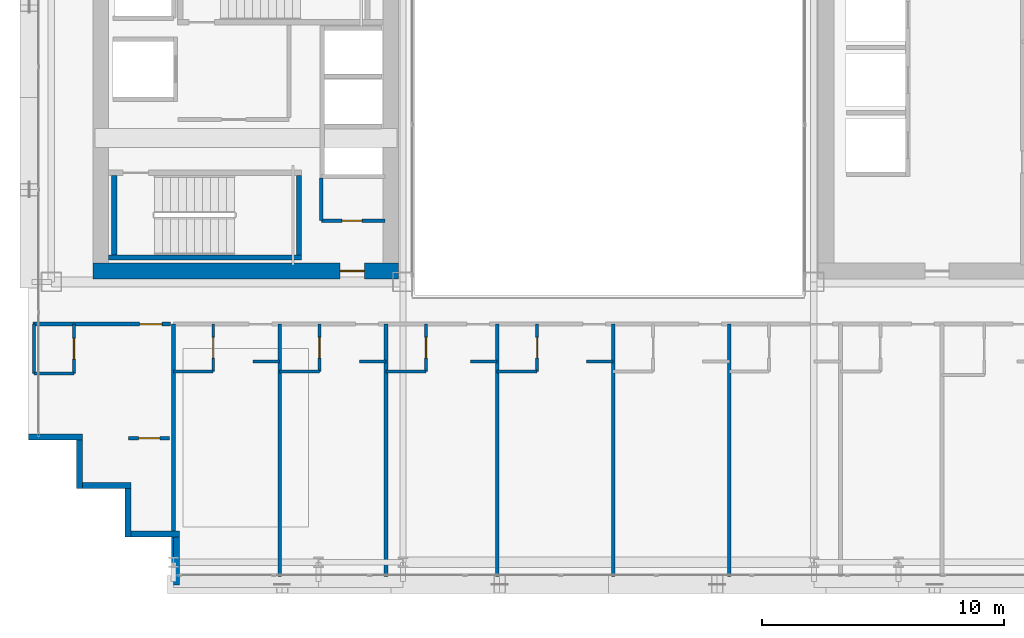
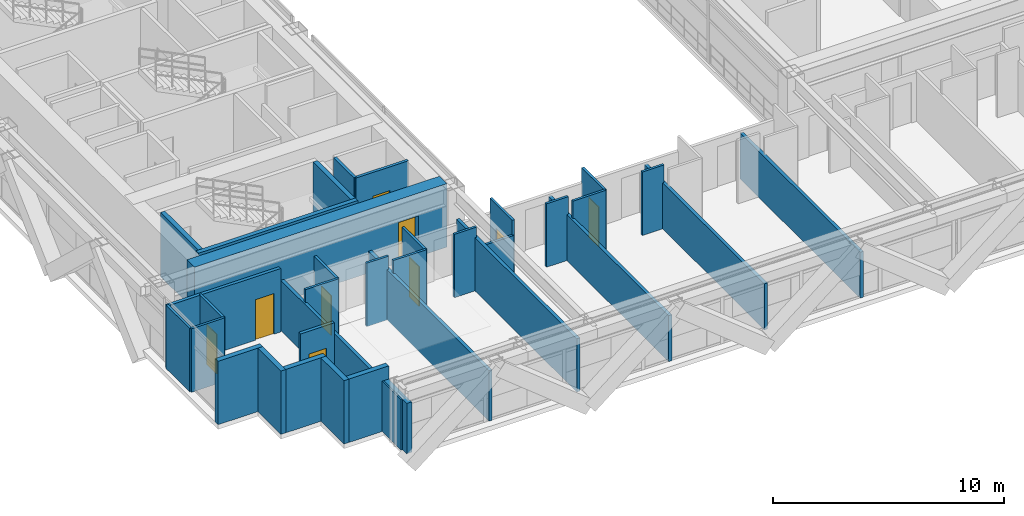
# One storey, part 31 of 39: 35 walls, 9 doors, 9 openings.
"""IFC4 building model written with IfcOpenShell, lengths in metres."""

from ifc_helpers import new_model, si_unit, direction, frame, frame_2d, origin, place, context, subcontext, project, spatial, rectangle, extrude, source, transform, mapped, material, layer, layer_set, type_object, element, fill, save


model = new_model("IFC4")

# Units and contexts
model_context = context("Model", 3, precision=1e-05, world=origin(), true_north=direction((0.0, 1.0)))
body_context = subcontext(model_context, "Body", "Model", "MODEL_VIEW")
ifc_project = project(units=[si_unit("LENGTHUNIT", "METRE"), si_unit("AREAUNIT", "SQUARE_METRE"), si_unit("VOLUMEUNIT", "CUBIC_METRE"), si_unit("PLANEANGLEUNIT", "RADIAN"), si_unit("MASSUNIT", "GRAM", prefix="KILO")], contexts=[model_context])

# Site, building, storey
site_placement = place(None, origin())
site = spatial("IfcSite", under=ifc_project, at=site_placement, CompositionType="ELEMENT")
building_placement = place(site_placement, origin())
building = spatial("IfcBuilding", under=site, at=building_placement, Name="Ocotamira Hotel", CompositionType="ELEMENT")
storey_placement = place(building_placement, frame((0.0, 0.0, 104.39990234375)))
storey = spatial("IfcBuildingStorey", under=building, at=storey_placement, Name="L25", CompositionType="ELEMENT", Elevation=104.39990234375)

# Wall, opening, door
ifc_material_1 = material(Name="Concrete C60/75", Category="concrete")
ifc_layer_1 = layer(ifc_material_1, 0.64990234375)
ifc_layer_set_1 = layer_set([ifc_layer_1], Name="Concrete C60/75")
wall_type_1 = type_object("IfcWallType", Name="WL-CORE-650", PredefinedType="SHEAR", material=ifc_layer_set_1)
wall_1_placement = place(storey_placement, frame((10.675048828125, 15.0, 0.0), z_axis=(0.0, 0.0, 1.0), x_axis=(1.0, 0.0, 0.0)))
wall_1 = element("IfcWall", 1, at=wall_1_placement, inside=storey, type_object=wall_type_1, Name="L25 Shear Core Wall WCORE-S", PredefinedType="SHEAR", context=body_context, shape_type="SweptSolid", body=[
    extrude(rectangle(XDim=12.64990234375, YDim=0.64990234375, at=frame_2d((6.324951171875, 0.0))), origin(), (0.0, 0.0, 1.0), 3.360107421875),
])
opening_1_placement = place(wall_1_placement, frame((10.22509765625, 0.0, 0.0)))
opening_1 = element("IfcOpeningElement", 2, at=opening_1_placement, cuts=wall_1, Name="Opening D-FR2", PredefinedType="OPENING", context=body_context, shape_type="SweptSolid", body=[
    extrude(rectangle(XDim=1.0, YDim=2.14990234375, at=frame_2d((0.5, 1.074951171875))), frame((0.0, 0.3349609375, 0.0), z_axis=(0.0, -1.0, 0.0), x_axis=(1.0, 0.0, 0.0)), (0.0, 0.0, 1.0), 0.669921875),
])
ifc_material_2 = material(Name="Fire-rated acoustic timber-veneer door", Category="wood")
door_type_1 = type_object("IfcDoorType", Name="DR-FIRE-1000", OperationType="NOTDEFINED", PredefinedType="DOOR", material=ifc_material_2)
shared_shape_1 = source(origin(), body_context, "Body", "SweptSolid", [
    extrude(rectangle(XDim=1.0, YDim=2.14990234375, at=frame_2d((0.5, 1.074951171875))), frame((0.0, 0.02490234375, 0.0), z_axis=(0.0, -1.0, 0.0), x_axis=(1.0, 0.0, 0.0)), (0.0, 0.0, 1.0), 0.050048828125),
])
door_1_placement = place(opening_1_placement, origin())
door_1 = element("IfcDoor", 3, at=door_1_placement, inside=storey, type_object=door_type_1, Name="L25 Door ID-L25-WLOB-S-D [ID-L25-WLOB-S-D]", OperationType="SINGLE_SWING_LEFT", OverallHeight=2.14990234375, OverallWidth=1.0, PredefinedType="DOOR", context=body_context, shape_type="MappedRepresentation", body=[
    mapped(shared_shape_1, transform((0.0, 0.0, 0.0), scale=1.0)),
])
fill(opening_1, door_1)

# Walls
ifc_material_3 = material(Name="Precast concrete C45/55", Category="concrete")
ifc_layer_2 = layer(ifc_material_3, 0.25)
ifc_layer_set_2 = layer_set([ifc_layer_2], Name="Precast concrete C45/55")
wall_type_2 = type_object("IfcWallType", Name="WL-EXT-SER-250", PredefinedType="SOLIDWALL", material=ifc_layer_set_2)
wall_2_placement = place(storey_placement, frame((8.0, 8.125, 0.0), z_axis=(0.0, 0.0, 1.0), x_axis=(1.0, 0.0, 0.0)))
element("IfcWall", 4, at=wall_2_placement, inside=storey, type_object=wall_type_2, Name="L25 Serrated Corner Wall 19", PredefinedType="SOLIDWALL", context=body_context, shape_type="SweptSolid", body=[
    extrude(rectangle(XDim=2.25, YDim=0.25, at=frame_2d((1.125, 0.0))), origin(), (0.0, 0.0, 1.0), 3.360107421875),
])
for number, where, z_axis, x_axis, name in (
    (5, (10.125, 8.0, 0.0), (0.0, 0.0, 1.0), (0.0, -1.0, 0.0), "L25 Serrated Corner Wall 20"),
    (6, (10.25, 6.125, 0.0), (0.0, 0.0, 1.0), (1.0, 0.0, 0.0), "L25 Serrated Corner Wall 21"),
    (7, (12.125, 6.0, 0.0), (0.0, 0.0, 1.0), (0.0, -1.0, 0.0), "L25 Serrated Corner Wall 22"),
    (8, (12.25, 4.125, 0.0), (0.0, 0.0, 1.0), (1.0, 0.0, 0.0), "L25 Serrated Corner Wall 23"),
):
    element("IfcWall", number, at=place(storey_placement, frame(where, z_axis=z_axis, x_axis=x_axis)), inside=storey, type_object=wall_type_2, Name=name, PredefinedType="SOLIDWALL", context=body_context, shape_type="SweptSolid", body=[
        extrude(rectangle(XDim=2.0, YDim=0.25, at=frame_2d((1.0, 0.0))), origin(), (0.0, 0.0, 1.0), 3.360107421875),
    ])
wall_3_placement = place(storey_placement, frame((14.125, 4.0, 0.0), z_axis=(0.0, 0.0, 1.0), x_axis=(0.0, -1.0, 0.0)))
element("IfcWall", 9, at=wall_3_placement, inside=storey, type_object=wall_type_2, Name="L25 Serrated Corner Wall 24", PredefinedType="SOLIDWALL", context=body_context, shape_type="SweptSolid", body=[
    extrude(rectangle(XDim=2.0, YDim=0.25, at=frame_2d((1.0, 0.0))), origin(), (0.0, 0.0, 1.0), 2.6669921875),
])

# Wall, opening, door
ifc_material_4 = material(Name="Acoustic double-layer fire gypsum board partition", Category="gypsum")
ifc_layer_3 = layer(ifc_material_4, 0.159912109375)
ifc_layer_set_3 = layer_set([ifc_layer_3], Name="Acoustic double-layer fire gypsum board partition")
wall_type_3 = type_object("IfcWallType", Name="WL-FIRE-160", PredefinedType="PARTITIONING", material=ifc_layer_set_3)
wall_4_placement = place(storey_placement, frame((8.199951171875, 12.800048828125, 0.0), z_axis=(0.0, 0.0, 1.0), x_axis=(1.0, 0.0, 0.0)))
wall_4 = element("IfcWall", 10, at=wall_4_placement, inside=storey, type_object=wall_type_3, Name="L25 Interior Wall PW-L25-Z2A-CSW-CW", PredefinedType="PARTITIONING", context=body_context, shape_type="SweptSolid", body=[
    extrude(rectangle(XDim=5.679931640625, YDim=0.159912109375, at=frame_2d((2.83984375, 0.0))), origin(), (0.0, 0.0, 1.0), 3.360107421875),
])
opening_2_placement = place(wall_4_placement, frame((4.39990234375, 0.0, 0.0)))
opening_2 = element("IfcOpeningElement", 11, at=opening_2_placement, cuts=wall_4, Name="Opening D-GR1", PredefinedType="OPENING", context=body_context, shape_type="SweptSolid", body=[
    extrude(rectangle(XDim=0.93994140625, YDim=2.14990234375, at=frame_2d((0.469970703125, 1.074951171875))), frame((0.0, 0.08984375, 0.0), z_axis=(0.0, -1.0, 0.0), x_axis=(1.0, 0.0, 0.0)), (0.0, 0.0, 1.0), 0.179931640625),
])
ifc_material_5 = material(Name="Solid-core walnut suite entrance fire door", Category="wood")
door_type_2 = type_object("IfcDoorType", Name="DR-GUEST-940", OperationType="NOTDEFINED", PredefinedType="DOOR", material=ifc_material_5)
shared_shape_2 = source(origin(), body_context, "Body", "SweptSolid", [
    extrude(rectangle(XDim=0.93994140625, YDim=2.14990234375, at=frame_2d((0.469970703125, 1.074951171875))), frame((0.0, 0.02490234375, 0.0), z_axis=(0.0, -1.0, 0.0), x_axis=(1.0, 0.0, 0.0)), (0.0, 0.0, 1.0), 0.050048828125),
])
door_2_placement = place(opening_2_placement, origin())
door_2 = element("IfcDoor", 12, at=door_2_placement, inside=storey, type_object=door_type_2, Name="L25 Door ID-L25-Z2A-CSW-CD [ID-L25-Z2A-CSW-CD]", OperationType="SINGLE_SWING_RIGHT", OverallHeight=2.14990234375, OverallWidth=0.93994140625, PredefinedType="DOOR", context=body_context, shape_type="MappedRepresentation", body=[
    mapped(shared_shape_2, transform((0.0, 0.0, 0.0), scale=1.0)),
])
fill(opening_2, door_2)

wall_5_placement = place(storey_placement, frame((12.14990234375, 8.080078125, 0.0), z_axis=(0.0, 0.0, 1.0), x_axis=(1.0, 0.0, 0.0)))
wall_5 = element("IfcWall", 13, at=wall_5_placement, inside=storey, type_object=wall_type_3, Name="L25 Interior Wall PW-L25-Z2A-CSW2-CW", PredefinedType="PARTITIONING", context=body_context, shape_type="SweptSolid", body=[
    extrude(rectangle(XDim=1.7001953125, YDim=0.159912109375, at=frame_2d((0.85009765625, 0.0))), origin(), (0.0, 0.0, 1.0), 3.360107421875),
])
opening_3_placement = place(wall_5_placement, frame((0.409912109375, 0.0, 0.0)))
opening_3 = element("IfcOpeningElement", 14, at=opening_3_placement, cuts=wall_5, Name="Opening D-SV2", PredefinedType="OPENING", context=body_context, shape_type="SweptSolid", body=[
    extrude(rectangle(XDim=0.8798828125, YDim=2.14990234375, at=frame_2d((0.43994140625, 1.074951171875))), frame((0.0, 0.08984375, 0.0), z_axis=(0.0, -1.0, 0.0), x_axis=(1.0, 0.0, 0.0)), (0.0, 0.0, 1.0), 0.179931640625),
])
ifc_material_6 = material(Name="Fire-rated painted steel service door", Category="steel")
door_type_3 = type_object("IfcDoorType", Name="DR-SERV-880", OperationType="NOTDEFINED", PredefinedType="DOOR", material=ifc_material_6)
shared_shape_3 = source(origin(), body_context, "Body", "SweptSolid", [
    extrude(rectangle(XDim=0.8798828125, YDim=2.14990234375, at=frame_2d((0.43994140625, 1.074951171875))), frame((0.0, 0.02490234375, 0.0), z_axis=(0.0, -1.0, 0.0), x_axis=(1.0, 0.0, 0.0)), (0.0, 0.0, 1.0), 0.050048828125),
])
door_3_placement = place(opening_3_placement, origin())
door_3 = element("IfcDoor", 15, at=door_3_placement, inside=storey, type_object=door_type_3, Name="L25 Door ID-L25-Z2A-CSW2-CD [ID-L25-Z2A-CSW2-CD]", OperationType="SINGLE_SWING_LEFT", OverallHeight=2.14990234375, OverallWidth=0.8798828125, PredefinedType="DOOR", context=body_context, shape_type="MappedRepresentation", body=[
    mapped(shared_shape_3, transform((0.0, 0.0, 0.0), scale=1.0)),
])
fill(opening_3, door_3)

ifc_material_7 = material(Name="Moisture-resistant en-suite tile and gypsum partition", Category="gypsum")
ifc_layer_4 = layer(ifc_material_7, 0.1201171875)
ifc_layer_set_4 = layer_set([ifc_layer_4], Name="Moisture-resistant en-suite tile and gypsum partition")
wall_type_4 = type_object("IfcWallType", Name="WL-PART-120", PredefinedType="PARTITIONING", material=ifc_layer_set_4)
wall_6_placement = place(storey_placement, frame((9.889892578125, 10.760009765625, 0.0), z_axis=(0.0, 0.0, 1.0), x_axis=(0.0, 1.0, 0.0)))
wall_6 = element("IfcWall", 16, at=wall_6_placement, inside=storey, type_object=wall_type_4, Name="L25 Interior Wall PW-L25-Z2A-CSW-BE", PredefinedType="PARTITIONING", context=body_context, shape_type="SweptSolid", body=[
    extrude(rectangle(XDim=2.0400390625, YDim=0.1201171875, at=frame_2d((1.02001953125, 0.0))), origin(), (0.0, 0.0, 1.0), 3.360107421875),
])
opening_4_placement = place(wall_6_placement, frame((0.590087890625, 0.0, 0.0)))
opening_4 = element("IfcOpeningElement", 17, at=opening_4_placement, cuts=wall_6, Name="Opening D-BA1", PredefinedType="OPENING", context=body_context, shape_type="SweptSolid", body=[
    extrude(rectangle(XDim=0.860107421875, YDim=2.10009765625, at=frame_2d((0.43017578125, 1.050048828125))), frame((0.0, 0.070068359375, 0.0), z_axis=(0.0, -1.0, 0.0), x_axis=(1.0, 0.0, 0.0)), (0.0, 0.0, 1.0), 0.14013671875),
])
ifc_material_8 = material(Name="Moisture-sealed en-suite timber door", Category="wood")
door_type_4 = type_object("IfcDoorType", Name="DR-BATH-860", OperationType="NOTDEFINED", PredefinedType="DOOR", material=ifc_material_8)
shared_shape_4 = source(origin(), body_context, "Body", "SweptSolid", [
    extrude(rectangle(XDim=0.860107421875, YDim=2.10009765625, at=frame_2d((0.43017578125, 1.050048828125))), frame((0.0, 0.02490234375, 0.0), z_axis=(0.0, -1.0, 0.0), x_axis=(1.0, 0.0, 0.0)), (0.0, 0.0, 1.0), 0.050048828125),
])
door_4_placement = place(opening_4_placement, origin())
door_4 = element("IfcDoor", 18, at=door_4_placement, inside=storey, type_object=door_type_4, Name="L25 Door ID-L25-Z2A-CSW-BD [ID-L25-Z2A-CSW-BD]", OperationType="SINGLE_SWING_LEFT", OverallHeight=2.10009765625, OverallWidth=0.860107421875, PredefinedType="DOOR", context=body_context, shape_type="MappedRepresentation", body=[
    mapped(shared_shape_4, transform((0.0, 0.0, 0.0), scale=1.0)),
])
fill(opening_4, door_4)

# Walls
wall_7_placement = place(storey_placement, frame((8.239990234375, 10.760009765625, 0.0), z_axis=(0.0, 0.0, 1.0), x_axis=(0.0, 1.0, 0.0)))
element("IfcWall", 19, at=wall_7_placement, inside=storey, type_object=wall_type_4, Name="L25 Interior Wall PW-L25-Z2A-CSW-BW", PredefinedType="PARTITIONING", context=body_context, shape_type="SweptSolid", body=[
    extrude(rectangle(XDim=2.0400390625, YDim=0.1201171875, at=frame_2d((1.02001953125, 0.0))), origin(), (0.0, 0.0, 1.0), 3.360107421875),
])
wall_8_placement = place(storey_placement, frame((8.239990234375, 10.760009765625, 0.0), z_axis=(0.0, 0.0, 1.0), x_axis=(1.0, 0.0, 0.0)))
element("IfcWall", 20, at=wall_8_placement, inside=storey, type_object=wall_type_4, Name="L25 Interior Wall PW-L25-Z2A-CSW-BH", PredefinedType="PARTITIONING", context=body_context, shape_type="SweptSolid", body=[
    extrude(rectangle(XDim=1.64990234375, YDim=0.1201171875, at=frame_2d((0.824951171875, 0.0))), origin(), (0.0, 0.0, 1.0), 3.360107421875),
])

# Wall, opening, door
wall_9_placement = place(storey_placement, frame((15.64990234375, 10.85009765625, 0.0), z_axis=(0.0, 0.0, 1.0), x_axis=(0.0, 1.0, 0.0)))
wall_9 = element("IfcWall", 21, at=wall_9_placement, inside=storey, type_object=wall_type_4, Name="L25 Interior Wall PW-L25-Z2AS-BAE1", PredefinedType="PARTITIONING", context=body_context, shape_type="SweptSolid", body=[
    extrude(rectangle(XDim=1.949951171875, YDim=0.1201171875, at=frame_2d((0.97509765625, 0.0))), origin(), (0.0, 0.0, 1.0), 3.360107421875),
])
opening_5_placement = place(wall_9_placement, frame((0.544921875, 0.0, 0.0)))
opening_5 = element("IfcOpeningElement", 22, at=opening_5_placement, cuts=wall_9, Name="Opening D-BA1", PredefinedType="OPENING", context=body_context, shape_type="SweptSolid", body=[
    extrude(rectangle(XDim=0.860107421875, YDim=2.10009765625, at=frame_2d((0.43017578125, 1.050048828125))), frame((0.0, 0.070068359375, 0.0), z_axis=(0.0, -1.0, 0.0), x_axis=(1.0, 0.0, 0.0)), (0.0, 0.0, 1.0), 0.14013671875),
])
door_5_placement = place(opening_5_placement, origin())
door_5 = element("IfcDoor", 23, at=door_5_placement, inside=storey, type_object=door_type_4, Name="L25 Door ID-L25-Z2AS-BAD1 [ID-L25-Z2AS-BAD1]", OperationType="SINGLE_SWING_RIGHT", OverallHeight=2.10009765625, OverallWidth=0.860107421875, PredefinedType="DOOR", context=body_context, shape_type="MappedRepresentation", body=[
    mapped(shared_shape_4, transform((0.0, 0.0, 0.0), scale=1.0)),
])
fill(opening_5, door_5)

# Walls
wall_10_placement = place(storey_placement, frame((14.0, 10.85009765625, 0.0), z_axis=(0.0, 0.0, 1.0), x_axis=(1.0, 0.0, 0.0)))
element("IfcWall", 24, at=wall_10_placement, inside=storey, type_object=wall_type_4, Name="L25 Interior Wall PW-L25-Z2AS-BAS1", PredefinedType="PARTITIONING", context=body_context, shape_type="SweptSolid", body=[
    extrude(rectangle(XDim=1.64990234375, YDim=0.1201171875, at=frame_2d((0.824951171875, 0.0))), origin(), (0.0, 0.0, 1.0), 3.360107421875),
])
wall_11_placement = place(storey_placement, frame((17.300048828125, 11.25, 0.0), z_axis=(0.0, 0.0, 1.0), x_axis=(1.0, 0.0, 0.0)))
element("IfcWall", 25, at=wall_11_placement, inside=storey, type_object=wall_type_4, Name="L25 Interior Wall PW-L25-Z2AS-DRN1", PredefinedType="PARTITIONING", context=body_context, shape_type="SweptSolid", body=[
    extrude(rectangle(XDim=1.099853515625, YDim=0.1201171875, at=frame_2d((0.5498046875, 0.0))), origin(), (0.0, 0.0, 1.0), 3.360107421875),
])

# Wall, opening, door
wall_12_placement = place(storey_placement, frame((20.050048828125, 10.85009765625, 0.0), z_axis=(0.0, 0.0, 1.0), x_axis=(0.0, 1.0, 0.0)))
wall_12 = element("IfcWall", 26, at=wall_12_placement, inside=storey, type_object=wall_type_4, Name="L25 Interior Wall PW-L25-Z2AS-BAE2", PredefinedType="PARTITIONING", context=body_context, shape_type="SweptSolid", body=[
    extrude(rectangle(XDim=1.949951171875, YDim=0.1201171875, at=frame_2d((0.97509765625, 0.0))), origin(), (0.0, 0.0, 1.0), 3.360107421875),
])
opening_6_placement = place(wall_12_placement, frame((0.544921875, 0.0, 0.0)))
opening_6 = element("IfcOpeningElement", 27, at=opening_6_placement, cuts=wall_12, Name="Opening D-BA1", PredefinedType="OPENING", context=body_context, shape_type="SweptSolid", body=[
    extrude(rectangle(XDim=0.860107421875, YDim=2.10009765625, at=frame_2d((0.43017578125, 1.050048828125))), frame((0.0, 0.070068359375, 0.0), z_axis=(0.0, -1.0, 0.0), x_axis=(1.0, 0.0, 0.0)), (0.0, 0.0, 1.0), 0.14013671875),
])
door_6_placement = place(opening_6_placement, origin())
door_6 = element("IfcDoor", 28, at=door_6_placement, inside=storey, type_object=door_type_4, Name="L25 Door ID-L25-Z2AS-BAD2 [ID-L25-Z2AS-BAD2]", OperationType="SINGLE_SWING_LEFT", OverallHeight=2.10009765625, OverallWidth=0.860107421875, PredefinedType="DOOR", context=body_context, shape_type="MappedRepresentation", body=[
    mapped(shared_shape_4, transform((0.0, 0.0, 0.0), scale=1.0)),
])
fill(opening_6, door_6)

# Walls
wall_13_placement = place(storey_placement, frame((18.39990234375, 10.85009765625, 0.0), z_axis=(0.0, 0.0, 1.0), x_axis=(1.0, 0.0, 0.0)))
element("IfcWall", 29, at=wall_13_placement, inside=storey, type_object=wall_type_4, Name="L25 Interior Wall PW-L25-Z2AS-BAS2", PredefinedType="PARTITIONING", context=body_context, shape_type="SweptSolid", body=[
    extrude(rectangle(XDim=1.650146484375, YDim=0.1201171875, at=frame_2d((0.8251953125, 0.0))), origin(), (0.0, 0.0, 1.0), 3.360107421875),
])
wall_14_placement = place(storey_placement, frame((21.699951171875, 11.25, 0.0), z_axis=(0.0, 0.0, 1.0), x_axis=(1.0, 0.0, 0.0)))
element("IfcWall", 30, at=wall_14_placement, inside=storey, type_object=wall_type_4, Name="L25 Interior Wall PW-L25-Z2AS-DRN2", PredefinedType="PARTITIONING", context=body_context, shape_type="SweptSolid", body=[
    extrude(rectangle(XDim=1.10009765625, YDim=0.1201171875, at=frame_2d((0.550048828125, 0.0))), origin(), (0.0, 0.0, 1.0), 3.360107421875),
])

# Wall, opening, door
wall_15_placement = place(storey_placement, frame((24.449951171875, 10.85009765625, 0.0), z_axis=(0.0, 0.0, 1.0), x_axis=(0.0, 1.0, 0.0)))
wall_15 = element("IfcWall", 31, at=wall_15_placement, inside=storey, type_object=wall_type_4, Name="L25 Interior Wall PW-L25-Z2AS-BAE3", PredefinedType="PARTITIONING", context=body_context, shape_type="SweptSolid", body=[
    extrude(rectangle(XDim=1.949951171875, YDim=0.1201171875, at=frame_2d((0.97509765625, 0.0))), origin(), (0.0, 0.0, 1.0), 3.360107421875),
])
opening_7_placement = place(wall_15_placement, frame((0.544921875, 0.0, 0.0)))
opening_7 = element("IfcOpeningElement", 32, at=opening_7_placement, cuts=wall_15, Name="Opening D-BA1", PredefinedType="OPENING", context=body_context, shape_type="SweptSolid", body=[
    extrude(rectangle(XDim=0.860107421875, YDim=2.10009765625, at=frame_2d((0.43017578125, 1.050048828125))), frame((0.0, 0.070068359375, 0.0), z_axis=(0.0, -1.0, 0.0), x_axis=(1.0, 0.0, 0.0)), (0.0, 0.0, 1.0), 0.14013671875),
])
door_7_placement = place(opening_7_placement, origin())
door_7 = element("IfcDoor", 33, at=door_7_placement, inside=storey, type_object=door_type_4, Name="L25 Door ID-L25-Z2AS-BAD3 [ID-L25-Z2AS-BAD3]", OperationType="SINGLE_SWING_RIGHT", OverallHeight=2.10009765625, OverallWidth=0.860107421875, PredefinedType="DOOR", context=body_context, shape_type="MappedRepresentation", body=[
    mapped(shared_shape_4, transform((0.0, 0.0, 0.0), scale=1.0)),
])
fill(opening_7, door_7)

# Walls
wall_16_placement = place(storey_placement, frame((22.800048828125, 10.85009765625, 0.0), z_axis=(0.0, 0.0, 1.0), x_axis=(1.0, 0.0, 0.0)))
element("IfcWall", 34, at=wall_16_placement, inside=storey, type_object=wall_type_4, Name="L25 Interior Wall PW-L25-Z2AS-BAS3", PredefinedType="PARTITIONING", context=body_context, shape_type="SweptSolid", body=[
    extrude(rectangle(XDim=1.64990234375, YDim=0.1201171875, at=frame_2d((0.824951171875, 0.0))), origin(), (0.0, 0.0, 1.0), 2.5810546875),
])
wall_17_placement = place(storey_placement, frame((26.300048828125, 11.25, 0.0), z_axis=(0.0, 0.0, 1.0), x_axis=(1.0, 0.0, 0.0)))
element("IfcWall", 35, at=wall_17_placement, inside=storey, type_object=wall_type_4, Name="L25 Interior Wall PW-L25-Z2AS-DRN3", PredefinedType="PARTITIONING", context=body_context, shape_type="SweptSolid", body=[
    extrude(rectangle(XDim=1.099853515625, YDim=0.1201171875, at=frame_2d((0.5498046875, 0.0))), origin(), (0.0, 0.0, 1.0), 3.360107421875),
])

# Wall, opening, door
wall_18_placement = place(storey_placement, frame((29.050048828125, 10.85009765625, 0.0), z_axis=(0.0, 0.0, 1.0), x_axis=(0.0, 1.0, 0.0)))
wall_18 = element("IfcWall", 36, at=wall_18_placement, inside=storey, type_object=wall_type_4, Name="L25 Interior Wall PW-L25-Z2AS-BAE4", PredefinedType="PARTITIONING", context=body_context, shape_type="SweptSolid", body=[
    extrude(rectangle(XDim=1.949951171875, YDim=0.1201171875, at=frame_2d((0.97509765625, 0.0))), origin(), (0.0, 0.0, 1.0), 3.360107421875),
])
opening_8_placement = place(wall_18_placement, frame((0.544921875, 0.0, 0.0)))
opening_8 = element("IfcOpeningElement", 37, at=opening_8_placement, cuts=wall_18, Name="Opening D-BA1", PredefinedType="OPENING", context=body_context, shape_type="SweptSolid", body=[
    extrude(rectangle(XDim=0.860107421875, YDim=2.10009765625, at=frame_2d((0.43017578125, 1.050048828125))), frame((0.0, 0.070068359375, 0.0), z_axis=(0.0, -1.0, 0.0), x_axis=(1.0, 0.0, 0.0)), (0.0, 0.0, 1.0), 0.14013671875),
])
door_8_placement = place(opening_8_placement, origin())
door_8 = element("IfcDoor", 38, at=door_8_placement, inside=storey, type_object=door_type_4, Name="L25 Door ID-L25-Z2AS-BAD4 [ID-L25-Z2AS-BAD4]", OperationType="SINGLE_SWING_LEFT", OverallHeight=2.10009765625, OverallWidth=0.860107421875, PredefinedType="DOOR", context=body_context, shape_type="MappedRepresentation", body=[
    mapped(shared_shape_4, transform((0.0, 0.0, 0.0), scale=1.0)),
])
fill(opening_8, door_8)

# Walls
wall_19_placement = place(storey_placement, frame((27.39990234375, 10.85009765625, 0.0), z_axis=(0.0, 0.0, 1.0), x_axis=(1.0, 0.0, 0.0)))
element("IfcWall", 39, at=wall_19_placement, inside=storey, type_object=wall_type_4, Name="L25 Interior Wall PW-L25-Z2AS-BAS4", PredefinedType="PARTITIONING", context=body_context, shape_type="SweptSolid", body=[
    extrude(rectangle(XDim=1.650146484375, YDim=0.1201171875, at=frame_2d((0.8251953125, 0.0))), origin(), (0.0, 0.0, 1.0), 3.360107421875),
])
wall_20_placement = place(storey_placement, frame((31.10009765625, 11.25, 0.0), z_axis=(0.0, 0.0, 1.0), x_axis=(1.0, 0.0, 0.0)))
element("IfcWall", 40, at=wall_20_placement, inside=storey, type_object=wall_type_4, Name="L25 Interior Wall PW-L25-Z2AS-DRN4", PredefinedType="PARTITIONING", context=body_context, shape_type="SweptSolid", body=[
    extrude(rectangle(XDim=1.099853515625, YDim=0.1201171875, at=frame_2d((0.5498046875, 0.0))), origin(), (0.0, 0.0, 1.0), 3.360107421875),
])
ifc_material_9 = material(Name="Acoustic hospitality gypsum board partition", Category="gypsum")
ifc_layer_5 = layer(ifc_material_9, 0.14208984375)
ifc_layer_set_5 = layer_set([ifc_layer_5], Name="Acoustic hospitality gypsum board partition")
wall_type_5 = type_object("IfcWallType", Name="WL-PART-142", PredefinedType="PARTITIONING", material=ifc_layer_set_5)
wall_21_placement = place(storey_placement, frame((20.1201171875, 17.080078125, 0.0), z_axis=(0.0, 0.0, 1.0), x_axis=(0.0, 1.0, 0.0)))
element("IfcWall", 41, at=wall_21_placement, inside=storey, type_object=wall_type_5, Name="L25 Interior Wall PW-L25-WC-SE-W2", PredefinedType="PARTITIONING", context=body_context, shape_type="SweptSolid", body=[
    extrude(rectangle(XDim=1.760009765625, YDim=0.14208984375, at=frame_2d((0.8798828125, 0.0))), origin(), (0.0, 0.0, 1.0), 3.360107421875),
])

# Wall, opening, door
wall_22_placement = place(storey_placement, frame((20.1201171875, 17.080078125, 0.0), z_axis=(0.0, 0.0, 1.0), x_axis=(1.0, 0.0, 0.0)))
wall_22 = element("IfcWall", 42, at=wall_22_placement, inside=storey, type_object=wall_type_5, Name="L25 Interior Wall PW-L25-WC-SE-S2", PredefinedType="PARTITIONING", context=body_context, shape_type="SweptSolid", body=[
    extrude(rectangle(XDim=2.6298828125, YDim=0.14208984375, at=frame_2d((1.31494140625, 0.0))), origin(), (0.0, 0.0, 1.0), 3.360107421875),
])
opening_9_placement = place(wall_22_placement, frame((0.85009765625, 0.0, 0.0)))
opening_9 = element("IfcOpeningElement", 43, at=opening_9_placement, cuts=wall_22, Name="Opening D-SV1", PredefinedType="OPENING", context=body_context, shape_type="SweptSolid", body=[
    extrude(rectangle(XDim=0.840087890625, YDim=2.10009765625, at=frame_2d((0.419921875, 1.050048828125))), frame((0.0, 0.0810546875, 0.0), z_axis=(0.0, -1.0, 0.0), x_axis=(1.0, 0.0, 0.0)), (0.0, 0.0, 1.0), 0.162109375),
])
door_type_5 = type_object("IfcDoorType", Name="DR-SERV-840", OperationType="NOTDEFINED", PredefinedType="DOOR", material=ifc_material_6)
shared_shape_5 = source(origin(), body_context, "Body", "SweptSolid", [
    extrude(rectangle(XDim=0.840087890625, YDim=2.10009765625, at=frame_2d((0.419921875, 1.050048828125))), frame((0.0, 0.02490234375, 0.0), z_axis=(0.0, -1.0, 0.0), x_axis=(1.0, 0.0, 0.0)), (0.0, 0.0, 1.0), 0.050048828125),
])
door_9_placement = place(opening_9_placement, origin())
door_9 = element("IfcDoor", 44, at=door_9_placement, inside=storey, type_object=door_type_5, Name="L25 Door ID-L25-WC-SE-D2 [ID-L25-WC-SE-D2]", OperationType="SINGLE_SWING_LEFT", OverallHeight=2.10009765625, OverallWidth=0.840087890625, PredefinedType="DOOR", context=body_context, shape_type="MappedRepresentation", body=[
    mapped(shared_shape_5, transform((0.0, 0.0, 0.0), scale=1.0)),
])
fill(opening_9, door_9)

# Walls
ifc_material_10 = material(Name="Acoustic double-stud hospitality gypsum partition", Category="gypsum")
ifc_layer_6 = layer(ifc_material_10, 0.159912109375)
ifc_layer_set_6 = layer_set([ifc_layer_6], Name="Acoustic double-stud hospitality gypsum partition")
wall_type_6 = type_object("IfcWallType", Name="WL-PART-160", PredefinedType="PARTITIONING", material=ifc_layer_set_6)
for number, where, z_axis, x_axis, name in (
    (45, (14.0, 2.360107421875, 0.0), (0.0, 0.0, 1.0), (0.0, 1.0, 0.0), "L25 Interior Wall PW-L25-Z2AS-PW0"),
    (46, (18.39990234375, 2.360107421875, 0.0), (0.0, 0.0, 1.0), (0.0, 1.0, 0.0), "L25 Interior Wall PW-L25-Z2AS-PW1"),
):
    element("IfcWall", number, at=place(storey_placement, frame(where, z_axis=z_axis, x_axis=x_axis)), inside=storey, type_object=wall_type_6, Name=name, PredefinedType="PARTITIONING", context=body_context, shape_type="SweptSolid", body=[
        extrude(rectangle(XDim=10.43994140625, YDim=0.159912109375, at=frame_2d((5.219970703125, 0.0))), origin(), (0.0, 0.0, 1.0), 2.6669921875),
    ])
wall_23_placement = place(storey_placement, frame((22.800048828125, 2.360107421875, 0.0), z_axis=(0.0, 0.0, 1.0), x_axis=(0.0, 1.0, 0.0)))
element("IfcWall", 47, at=wall_23_placement, inside=storey, type_object=wall_type_6, Name="L25 Interior Wall PW-L25-Z2AS-PW2", PredefinedType="PARTITIONING", context=body_context, shape_type="SweptSolid", body=[
    extrude(rectangle(XDim=10.43994140625, YDim=0.159912109375, at=frame_2d((5.219970703125, 0.0))), origin(), (0.0, 0.0, 1.0), 2.822998046875),
])
for number, where, z_axis, x_axis, name in (
    (48, (27.39990234375, 2.360107421875, 0.0), (0.0, 0.0, 1.0), (0.0, 1.0, 0.0), "L25 Interior Wall PW-L25-Z2AS-PW3"),
    (49, (32.199951171875, 2.360107421875, 0.0), (0.0, 0.0, 1.0), (0.0, 1.0, 0.0), "L25 Interior Wall PW-L25-Z2AS-PW4"),
    (50, (37.0, 2.360107421875, 0.0), (0.0, 0.0, 1.0), (0.0, 1.0, 0.0), "L25 Interior Wall PW-L25-Z2AS-PW5"),
):
    element("IfcWall", number, at=place(storey_placement, frame(where, z_axis=z_axis, x_axis=x_axis)), inside=storey, type_object=wall_type_6, Name=name, PredefinedType="PARTITIONING", context=body_context, shape_type="SweptSolid", body=[
        extrude(rectangle(XDim=10.43994140625, YDim=0.159912109375, at=frame_2d((5.219970703125, 0.0))), origin(), (0.0, 0.0, 1.0), 2.43310546875),
    ])
ifc_material_11 = material(Name="Concrete C50/60", Category="concrete")
ifc_layer_7 = layer(ifc_material_11, 0.219970703125)
ifc_layer_set_7 = layer_set([ifc_layer_7], Name="Concrete C50/60")
wall_type_7 = type_object("IfcWallType", Name="WL-STAIR-220", PredefinedType="SHEAR", material=ifc_layer_set_7)
wall_24_placement = place(storey_placement, frame((11.324951171875, 15.56005859375, 0.0), z_axis=(0.0, 0.0, 1.0), x_axis=(1.0, 0.0, 0.0)))
element("IfcWall", 51, at=wall_24_placement, inside=storey, type_object=wall_type_7, Name="L25 Stair Shaft Structural Wall ST-1-S", PredefinedType="SHEAR", context=body_context, shape_type="SweptSolid", body=[
    extrude(rectangle(XDim=7.985107421875, YDim=0.219970703125, at=frame_2d((3.99267578125, 0.0))), origin(), (0.0, 0.0, 1.0), 3.400146484375),
])
for number, where, z_axis, x_axis, name in (
    (52, (11.56005859375, 15.669921875, 0.0), (0.0, 0.0, 1.0), (0.0, 1.0, 0.0), "L25 Stair Shaft Structural Wall ST-1-W"),
    (53, (19.199951171875, 15.669921875, 0.0), (0.0, 0.0, 1.0), (0.0, 1.0, 0.0), "L25 Stair Shaft Structural Wall ST-1-E"),
):
    element("IfcWall", number, at=place(storey_placement, frame(where, z_axis=z_axis, x_axis=x_axis)), inside=storey, type_object=wall_type_7, Name=name, PredefinedType="SHEAR", context=body_context, shape_type="SweptSolid", body=[
        extrude(rectangle(XDim=3.280029296875, YDim=0.219970703125, at=frame_2d((1.64013671875, 0.0))), origin(), (0.0, 0.0, 1.0), 3.400146484375),
    ])

save(model, "model.ifc")
